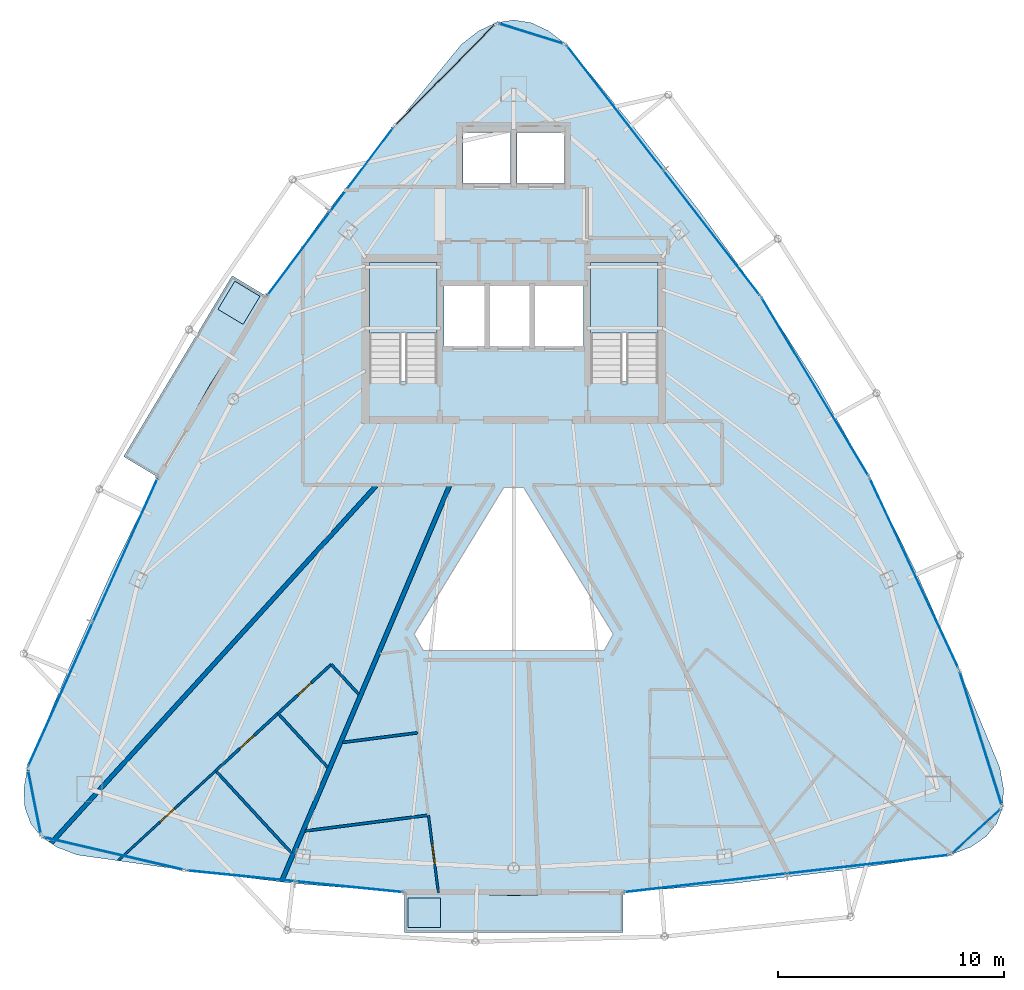
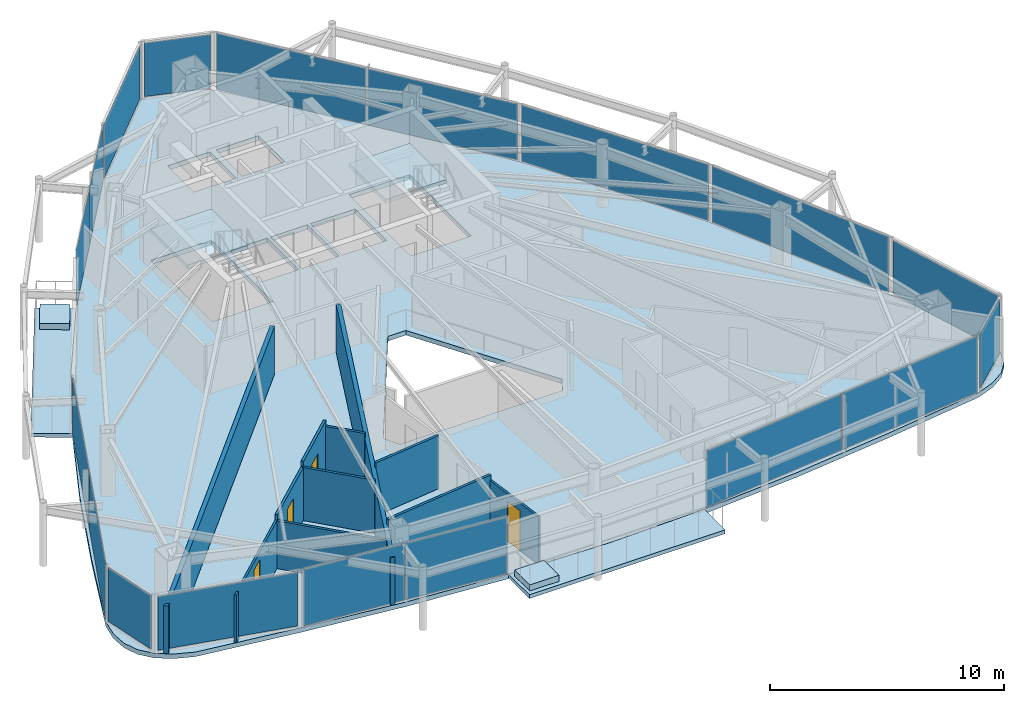
# One storey, part 25 of 30: 18 plates, 11 walls, 7 slabs, 4 doors, 4 openings, 15 elements without a shape of their own.
"""IFC4 building model written with IfcOpenShell, lengths in metres."""

from ifc_helpers import new_model, si_unit, direction, frame, frame_2d, origin, origin_2d, place, context, subcontext, project, spatial, polyline, rectangle, outline, extrude, material, layer, layer_set, type_object, element, fill, aggregate, save


model = new_model("IFC4")

# Units and contexts
model_context = context("Model", 3, precision=1e-05, world=origin(), true_north=direction((0.0, 1.0)))
body_context = subcontext(model_context, "Body", "Model", "MODEL_VIEW")
ifc_project = project(units=[si_unit("LENGTHUNIT", "METRE"), si_unit("AREAUNIT", "SQUARE_METRE"), si_unit("VOLUMEUNIT", "CUBIC_METRE"), si_unit("PLANEANGLEUNIT", "RADIAN"), si_unit("MASSUNIT", "GRAM", prefix="KILO")], contexts=[model_context])

# Site, building, storey
site_placement = place(None, origin())
site = spatial("IfcSite", under=ifc_project, at=site_placement, CompositionType="ELEMENT")
building_placement = place(site_placement, origin())
building = spatial("IfcBuilding", under=site, at=building_placement, Name="Orvanel Arch Residences", CompositionType="ELEMENT")
storey_placement = place(building_placement, frame((0.0, 0.0, 270.050048828125)))
storey = spatial("IfcBuildingStorey", under=building, at=storey_placement, Name="L77", CompositionType="ELEMENT", Elevation=270.050048828125)

# Curtain wall, plates
ifc_material_1 = material(Name="Bronze-anodised aluminium AA6063-T6", Category="aluminium")
ifc_layer_1 = layer(ifc_material_1, 0.175048828125)
ifc_layer_set_1 = layer_set([ifc_layer_1], Name="Bronze-anodised aluminium AA6063-T6")
curtain_wall_type_1 = type_object("IfcCurtainWallType", Name="CW4-HI-SYS", PredefinedType="NOTDEFINED", material=ifc_layer_set_1)
curtain_wall_1_placement = place(storey_placement, origin())
curtain_wall_1 = element("IfcCurtainWall", 1, at=curtain_wall_1_placement, inside=storey, type_object=curtain_wall_type_1, Name="L77 CW4-HI-SYS Unitised Curtain Wall", PredefinedType="NOTDEFINED")
ifc_material_2 = material(Name="Double-glazed solar-control low-E safety glass", Category="glass")
ifc_layer_2 = layer(ifc_material_2, 0.028076171875)
ifc_layer_set_2 = layer_set([ifc_layer_2], Name="Double-glazed solar-control low-E safety glass")
plate_type_1 = type_object("IfcPlateType", Name="PNL-GLZ-28", PredefinedType="CURTAIN_PANEL", material=ifc_layer_set_2)
plate_1_placement = place(storey_placement, frame((26.260498046875, 37.8095703125, 0.06005859375), z_axis=(0.0, 0.0, 1.0), x_axis=(-0.60051286147, -0.799615096912, 0.0)))
plate_1 = element("IfcPlate", 2, at=plate_1_placement, type_object=plate_type_1, Name="CW-S4 panel 1.1", PredefinedType="CURTAIN_PANEL", context=body_context, shape_type="SweptSolid", body=[
    extrude(rectangle(XDim=4.5810546875, YDim=0.028076171875, at=origin_2d()), origin(), (0.0, 0.0, 1.0), 2.93994140625),
])
plate_2_placement = place(storey_placement, frame((23.470458984375, 34.094482421875, 0.06005859375), z_axis=(0.0, 0.0, 1.0), x_axis=(-0.60051286147, -0.799615096912, 0.0)))
plate_2 = element("IfcPlate", 3, at=plate_2_placement, type_object=plate_type_1, Name="CW-S4 panel 2.1", PredefinedType="CURTAIN_PANEL", context=body_context, shape_type="SweptSolid", body=[
    extrude(rectangle(XDim=4.5810546875, YDim=0.028076171875, at=origin_2d()), origin(), (0.0, 0.0, 1.0), 2.93994140625),
])
aggregate(curtain_wall_1, [plate_1, plate_2])

curtain_wall_2_placement = place(storey_placement, origin())
curtain_wall_2 = element("IfcCurtainWall", 4, at=curtain_wall_2_placement, inside=storey, type_object=curtain_wall_type_1, Name="L77 CW4-HI-SYS Unitised Curtain Wall", PredefinedType="NOTDEFINED")
plate_3_placement = place(storey_placement, frame((15.77880859375, 20.935791015625, 0.06005859375), z_axis=(0.0, 0.0, 1.0), x_axis=(-0.409838903913, -0.912157920998, 0.0)))
plate_3 = element("IfcPlate", 5, at=plate_3_placement, type_object=plate_type_1, Name="CW-S4 panel 1.1", PredefinedType="CURTAIN_PANEL", context=body_context, shape_type="SweptSolid", body=[
    extrude(rectangle(XDim=6.94189453125, YDim=0.028076171875, at=origin_2d()), origin(), (0.0, 0.0, 1.0), 2.93994140625),
])
plate_4_placement = place(storey_placement, frame((12.9072265625, 14.54443359375, 0.06005859375), z_axis=(0.0, 0.0, 1.0), x_axis=(-0.409838903913, -0.912157920998, 0.0)))
plate_4 = element("IfcPlate", 6, at=plate_4_placement, type_object=plate_type_1, Name="CW-S4 panel 2.1", PredefinedType="CURTAIN_PANEL", context=body_context, shape_type="SweptSolid", body=[
    extrude(rectangle(XDim=6.94189453125, YDim=0.028076171875, at=origin_2d()), origin(), (0.0, 0.0, 1.0), 2.93994140625),
])
aggregate(curtain_wall_2, [plate_3, plate_4])

curtain_wall_3_placement = place(storey_placement, origin())
curtain_wall_3 = element("IfcCurtainWall", 7, at=curtain_wall_3_placement, inside=storey, type_object=curtain_wall_type_1, Name="L77 CW4-HI-SYS Unitised Curtain Wall", PredefinedType="NOTDEFINED")
plate_5_placement = place(storey_placement, frame((20.925537109375, 6.501220703125, 0.06005859375), z_axis=(0.0, 0.0, 1.0), x_axis=(0.99498699511, -0.100004397711, 0.0)))
plate_5 = element("IfcPlate", 8, at=plate_5_placement, type_object=plate_type_1, Name="CW-S4 panel 1.1", PredefinedType="CURTAIN_PANEL", context=body_context, shape_type="SweptSolid", body=[
    extrude(rectangle(XDim=4.747314453125, YDim=0.028076171875, at=origin_2d()), origin(), (0.0, 0.0, 1.0), 2.93994140625),
])
plate_6_placement = place(storey_placement, frame((25.713623046875, 6.019775390625, 0.06005859375), z_axis=(0.0, 0.0, 1.0), x_axis=(0.99498699511, -0.100004397711, 0.0)))
plate_6 = element("IfcPlate", 9, at=plate_6_placement, type_object=plate_type_1, Name="CW-S4 panel 2.1", PredefinedType="CURTAIN_PANEL", context=body_context, shape_type="SweptSolid", body=[
    extrude(rectangle(XDim=4.747314453125, YDim=0.028076171875, at=origin_2d()), origin(), (0.0, 0.0, 1.0), 2.93994140625),
])
aggregate(curtain_wall_3, [plate_5, plate_6])

curtain_wall_4_placement = place(storey_placement, origin())
curtain_wall_4 = element("IfcCurtainWall", 10, at=curtain_wall_4_placement, inside=storey, type_object=curtain_wall_type_1, Name="L77 CW4-HI-SYS Unitised Curtain Wall", PredefinedType="NOTDEFINED")
plate_7_placement = place(storey_placement, frame((41.496337890625, 6.1923828125, 0.06005859375), z_axis=(0.0, 0.0, 1.0), x_axis=(0.993509210956, 0.113751693375, 0.0)))
plate_7 = element("IfcPlate", 11, at=plate_7_placement, type_object=plate_type_1, Name="CW-S4 panel 1.1", PredefinedType="CURTAIN_PANEL", context=body_context, shape_type="SweptSolid", body=[
    extrude(rectangle(XDim=7.190185546875, YDim=0.028076171875, at=origin_2d()), origin(), (0.0, 0.0, 1.0), 2.93994140625),
])
plate_8_placement = place(storey_placement, frame((48.70458984375, 7.017578125, 0.06005859375), z_axis=(0.0, 0.0, 1.0), x_axis=(0.993509210956, 0.113751693375, 0.0)))
plate_8 = element("IfcPlate", 12, at=plate_8_placement, type_object=plate_type_1, Name="CW-S4 panel 2.1", PredefinedType="CURTAIN_PANEL", context=body_context, shape_type="SweptSolid", body=[
    extrude(rectangle(XDim=7.190185546875, YDim=0.028076171875, at=origin_2d()), origin(), (0.0, 0.0, 1.0), 2.93994140625),
])
aggregate(curtain_wall_4, [plate_7, plate_8])

# Curtain wall, plate
curtain_wall_5_placement = place(storey_placement, origin())
curtain_wall_5 = element("IfcCurtainWall", 13, at=curtain_wall_5_placement, inside=storey, type_object=curtain_wall_type_1, Name="L77 CW4-HI-SYS Unitised Curtain Wall", PredefinedType="NOTDEFINED")
plate_9_placement = place(storey_placement, frame((50.75048828125, 19.9208984375, 0.06005859375), z_axis=(0.0, 0.0, 1.0), x_axis=(-0.422856214336, 0.906196789885, 0.0)))
plate_9 = element("IfcPlate", 14, at=plate_9_placement, type_object=plate_type_1, Name="CW-S4 panel 1.1", PredefinedType="CURTAIN_PANEL", context=body_context, shape_type="SweptSolid", body=[
    extrude(rectangle(XDim=9.227783203125, YDim=0.028076171875, at=origin_2d()), origin(), (0.0, 0.0, 1.0), 2.93994140625),
])
aggregate(curtain_wall_5, [plate_9])

curtain_wall_6_placement = place(storey_placement, origin())
curtain_wall_6 = element("IfcCurtainWall", 15, at=curtain_wall_6_placement, inside=storey, type_object=curtain_wall_type_1, Name="L77 CW4-HI-SYS Unitised Curtain Wall", PredefinedType="NOTDEFINED")
plate_10_placement = place(storey_placement, frame((46.360107421875, 28.18701171875, 0.06005859375), z_axis=(0.0, 0.0, 1.0), x_axis=(-0.514400956296, 0.857549798065, 0.0)))
plate_10 = element("IfcPlate", 16, at=plate_10_placement, type_object=plate_type_1, Name="CW-S4 panel 1.1", PredefinedType="CURTAIN_PANEL", context=body_context, shape_type="SweptSolid", body=[
    extrude(rectangle(XDim=9.177978515625, YDim=0.028076171875, at=origin_2d()), origin(), (0.0, 0.0, 1.0), 2.93994140625),
])
aggregate(curtain_wall_6, [plate_10])

# Curtain wall, plates
curtain_wall_7_placement = place(storey_placement, origin())
curtain_wall_7 = element("IfcCurtainWall", 17, at=curtain_wall_7_placement, inside=storey, type_object=curtain_wall_type_1, Name="L77 CW4-HI-SYS Unitised Curtain Wall", PredefinedType="NOTDEFINED")
plate_11_placement = place(storey_placement, frame((41.78076171875, 35.0078125, 0.06005859375), z_axis=(0.0, 0.0, 1.0), x_axis=(-0.611799201016, 0.791013108385, 0.0)))
plate_11 = element("IfcPlate", 18, at=plate_11_placement, type_object=plate_type_1, Name="CW-S4 panel 1.1", PredefinedType="CURTAIN_PANEL", context=body_context, shape_type="SweptSolid", body=[
    extrude(rectangle(XDim=6.941650390625, YDim=0.028076171875, at=origin_2d()), origin(), (0.0, 0.0, 1.0), 2.93994140625),
])
plate_12_placement = place(storey_placement, frame((37.494140625, 40.550048828125, 0.06005859375), z_axis=(0.0, 0.0, 1.0), x_axis=(-0.611799201016, 0.791013108385, 0.0)))
plate_12 = element("IfcPlate", 19, at=plate_12_placement, type_object=plate_type_1, Name="CW-S4 panel 2.1", PredefinedType="CURTAIN_PANEL", context=body_context, shape_type="SweptSolid", body=[
    extrude(rectangle(XDim=6.941650390625, YDim=0.028076171875, at=origin_2d()), origin(), (0.0, 0.0, 1.0), 2.93994140625),
])
aggregate(curtain_wall_7, [plate_11, plate_12])

# Curtain wall, plate
ifc_layer_3 = layer(ifc_material_1, 0.18994140625)
ifc_layer_set_3 = layer_set([ifc_layer_3], Name="Bronze-anodised aluminium AA6063-T6")
curtain_wall_type_2 = type_object("IfcCurtainWallType", Name="CW5-CRN-SYS", PredefinedType="NOTDEFINED", material=ifc_layer_set_3)
curtain_wall_8_placement = place(storey_placement, origin())
curtain_wall_8 = element("IfcCurtainWall", 20, at=curtain_wall_8_placement, inside=storey, type_object=curtain_wall_type_2, Name="L77 CW5-CRN-SYS Unitised Curtain Wall", PredefinedType="NOTDEFINED")
ifc_layer_4 = layer(ifc_material_2, 0.031982421875)
ifc_layer_set_4 = layer_set([ifc_layer_4], Name="Double-glazed solar-control low-E safety glass")
plate_type_2 = type_object("IfcPlateType", Name="PNL-GLZ-32", PredefinedType="CURTAIN_PANEL", material=ifc_layer_set_4)
plate_13_placement = place(storey_placement, frame((33.77294921875, 43.843994140625, 0.1298828125), z_axis=(0.0, 0.0, 1.0), x_axis=(-0.954868600689, 0.297028543105, 0.0)))
plate_13 = element("IfcPlate", 21, at=plate_13_placement, type_object=plate_type_2, Name="CW-S5 panel 1.1", PredefinedType="CURTAIN_PANEL", context=body_context, shape_type="SweptSolid", body=[
    extrude(rectangle(XDim=2.8984375, YDim=0.031982421875, at=origin_2d()), origin(), (0.0, 0.0, 1.0), 2.800048828125),
])
aggregate(curtain_wall_8, [plate_13])

curtain_wall_9_placement = place(storey_placement, origin())
curtain_wall_9 = element("IfcCurtainWall", 22, at=curtain_wall_9_placement, inside=storey, type_object=curtain_wall_type_2, Name="L77 CW5-CRN-SYS Unitised Curtain Wall", PredefinedType="NOTDEFINED")
plate_14_placement = place(storey_placement, frame((29.95703125, 42.01708984375, 0.1298828125), z_axis=(0.0, 0.0, 1.0), x_axis=(-0.701176820871, -0.712987423362, 0.0)))
plate_14 = element("IfcPlate", 23, at=plate_14_placement, type_object=plate_type_2, Name="CW-S5 panel 1.1", PredefinedType="CURTAIN_PANEL", context=body_context, shape_type="SweptSolid", body=[
    extrude(rectangle(XDim=6.135009765625, YDim=0.031982421875, at=origin_2d()), origin(), (0.0, 0.0, 1.0), 2.800048828125),
])
aggregate(curtain_wall_9, [plate_14])

curtain_wall_10_placement = place(storey_placement, origin())
curtain_wall_10 = element("IfcCurtainWall", 24, at=curtain_wall_10_placement, inside=storey, type_object=curtain_wall_type_2, Name="L77 CW5-CRN-SYS Unitised Curtain Wall", PredefinedType="NOTDEFINED")
plate_15_placement = place(storey_placement, frame((11.75439453125, 9.77197265625, 0.1298828125), z_axis=(0.0, 0.0, 1.0), x_axis=(0.195303656616, -0.980742821392, 0.0)))
plate_15 = element("IfcPlate", 25, at=plate_15_placement, type_object=plate_type_2, Name="CW-S5 panel 1.1", PredefinedType="CURTAIN_PANEL", context=body_context, shape_type="SweptSolid", body=[
    extrude(rectangle(XDim=2.77734375, YDim=0.031982421875, at=origin_2d()), origin(), (0.0, 0.0, 1.0), 2.800048828125),
])
aggregate(curtain_wall_10, [plate_15])

curtain_wall_11_placement = place(storey_placement, origin())
curtain_wall_11 = element("IfcCurtainWall", 26, at=curtain_wall_11_placement, inside=storey, type_object=curtain_wall_type_2, Name="L77 CW5-CRN-SYS Unitised Curtain Wall", PredefinedType="NOTDEFINED")
plate_16_placement = place(storey_placement, frame((15.26904296875, 7.4951171875, 0.1298828125), z_axis=(0.0, 0.0, 1.0), x_axis=(0.973946916945, -0.226776107589, 0.0)))
plate_16 = element("IfcPlate", 27, at=plate_16_placement, type_object=plate_type_2, Name="CW-S5 panel 1.1", PredefinedType="CURTAIN_PANEL", context=body_context, shape_type="SweptSolid", body=[
    extrude(rectangle(XDim=6.252685546875, YDim=0.031982421875, at=origin_2d()), origin(), (0.0, 0.0, 1.0), 2.800048828125),
])
aggregate(curtain_wall_11, [plate_16])

curtain_wall_12_placement = place(storey_placement, origin())
curtain_wall_12 = element("IfcCurtainWall", 28, at=curtain_wall_12_placement, inside=storey, type_object=curtain_wall_type_2, Name="L77 CW5-CRN-SYS Unitised Curtain Wall", PredefinedType="NOTDEFINED")
plate_17_placement = place(storey_placement, frame((53.515380859375, 8.48388671875, 0.1298828125), z_axis=(0.0, 0.0, 1.0), x_axis=(0.74023394526, 0.672349393013, 0.0)))
plate_17 = element("IfcPlate", 29, at=plate_17_placement, type_object=plate_type_2, Name="CW-S5 panel 1.1", PredefinedType="CURTAIN_PANEL", context=body_context, shape_type="SweptSolid", body=[
    extrude(rectangle(XDim=2.77880859375, YDim=0.031982421875, at=origin_2d()), origin(), (0.0, 0.0, 1.0), 2.800048828125),
])
aggregate(curtain_wall_12, [plate_17])

curtain_wall_13_placement = place(storey_placement, origin())
curtain_wall_13 = element("IfcCurtainWall", 30, at=curtain_wall_13_placement, inside=storey, type_object=curtain_wall_type_2, Name="L77 CW5-CRN-SYS Unitised Curtain Wall", PredefinedType="NOTDEFINED")
plate_18_placement = place(storey_placement, frame((53.70361328125, 12.597412109375, 0.1298828125), z_axis=(0.0, 0.0, 1.0), x_axis=(-0.300689352356, 0.953722136358, 0.0)))
plate_18 = element("IfcPlate", 31, at=plate_18_placement, type_object=plate_type_2, Name="CW-S5 panel 1.1", PredefinedType="CURTAIN_PANEL", context=body_context, shape_type="SweptSolid", body=[
    extrude(rectangle(XDim=6.088623046875, YDim=0.031982421875, at=origin_2d()), origin(), (0.0, 0.0, 1.0), 2.800048828125),
])
aggregate(curtain_wall_13, [plate_18])

# Slabs
ifc_material_3 = material(Name="Concrete N40 (40 MPa)", Category="concrete")
ifc_layer_5 = layer(ifc_material_3, 0.199951171875)
ifc_layer_set_5 = layer_set([ifc_layer_5], Name="Concrete N40 (40 MPa)")
slab_type_1 = type_object("IfcSlabType", Name="SLB-BAL-200", PredefinedType="FLOOR", material=ifc_layer_set_5)
slab_1_placement = place(storey_placement, frame((0.0, 0.0, -0.199951171875)))
element("IfcSlab", 32, at=slab_1_placement, inside=storey, type_object=slab_type_1, Name="L77 Cantilevered Balcony Slab Face 1", PredefinedType="FLOOR", context=body_context, shape_type="SweptSolid", body=[
    extrude(outline(polyline([(20.51806640625, 33.110107421875), (15.7099609375, 25.094970703125), (17.236083984375, 24.178955078125), (19.52294921875, 28.258056640625), (22.0439453125, 32.195068359375), (20.51806640625, 33.110107421875)])), origin(), (0.0, 0.0, 1.0), 0.199951171875),
])
slab_2_placement = place(storey_placement, frame((0.0, 0.0, -0.199951171875)))
element("IfcSlab", 33, at=slab_2_placement, inside=storey, type_object=slab_type_1, Name="L77 Cantilevered Balcony Slab Face 2", PredefinedType="FLOOR", context=body_context, shape_type="SweptSolid", body=[
    extrude(outline(polyline([(28.159912109375, 3.993896484375), (37.840087890625, 3.993896484375), (37.840087890625, 5.77392578125), (33.0, 5.636962890625), (28.159912109375, 5.77392578125), (28.159912109375, 3.993896484375)])), origin(), (0.0, 0.0, 1.0), 0.199951171875),
])

# Stair, slab
ifc_material_4 = material(Name="Precast concrete N50 (50 MPa)", Category="concrete")
stair_type = type_object("IfcStairType", Name="STR-DOG-184", PredefinedType="USERDEFINED", material=ifc_material_4)
stair_1_placement = place(storey_placement, origin())
stair_1 = element("IfcStair", 34, at=stair_1_placement, inside=storey, type_object=stair_type, Name="L77 Fire-Isolated Core Exit Stair 1", ObjectType="TWO_RETURN_STAIR", PredefinedType="USERDEFINED")
ifc_layer_6 = layer(ifc_material_3, 0.199951171875)
ifc_layer_set_6 = layer_set([ifc_layer_6], Name="Concrete N40 (40 MPa)")
slab_type_2 = type_object("IfcSlabType", Name="SLB-LND-200", PredefinedType="LANDING", material=ifc_layer_set_6)
slab_3_placement = place(storey_placement, frame((0.0, 0.0, 1.449951171875)))
slab_3 = element("IfcSlab", 35, at=slab_3_placement, type_object=slab_type_2, Name="ST-1 landing 1", PredefinedType="LANDING", context=body_context, shape_type="SweptSolid", body=[
    extrude(outline(polyline([(29.60009765625, 30.56005859375), (29.60009765625, 33.699951171875), (26.60009765625, 33.699951171875), (26.60009765625, 30.56005859375), (29.60009765625, 30.56005859375)])), origin(), (0.0, 0.0, 1.0), 0.199951171875),
])
aggregate(stair_1, [slab_3])

stair_2_placement = place(storey_placement, origin())
stair_2 = element("IfcStair", 36, at=stair_2_placement, inside=storey, type_object=stair_type, Name="L77 Fire-Isolated Core Exit Stair 2", ObjectType="TWO_RETURN_STAIR", PredefinedType="USERDEFINED")
slab_4_placement = place(storey_placement, frame((0.0, 0.0, 1.449951171875)))
slab_4 = element("IfcSlab", 37, at=slab_4_placement, type_object=slab_type_2, Name="ST-2 landing 1", PredefinedType="LANDING", context=body_context, shape_type="SweptSolid", body=[
    extrude(outline(polyline([(39.39990234375, 30.56005859375), (39.39990234375, 33.699951171875), (36.39990234375, 33.699951171875), (36.39990234375, 30.56005859375), (39.39990234375, 30.56005859375)])), origin(), (0.0, 0.0, 1.0), 0.199951171875),
])
aggregate(stair_2, [slab_4])

# Slabs
ifc_material_5 = material(Name="Structural architectural precast concrete N40 (40 MPa) planter", Category="concrete")
ifc_layer_7 = layer(ifc_material_5, 0.320068359375)
ifc_layer_set_7 = layer_set([ifc_layer_7], Name="Structural architectural precast concrete N40 (40 MPa) planter")
slab_type_3 = type_object("IfcSlabType", Name="SLB-PLN-320", PredefinedType="USERDEFINED", material=ifc_layer_set_7)
slab_5_placement = place(storey_placement, origin())
element("IfcSlab", 38, at=slab_5_placement, inside=storey, type_object=slab_type_3, Name="L77 Balcony TREE PLANTER Face 1", ObjectType="PLANTER", PredefinedType="USERDEFINED", context=body_context, shape_type="SweptSolid", body=[
    extrude(outline(polyline([(20.637939453125, 32.863037109375), (19.89208984375, 31.6201171875), (21.007080078125, 30.950927734375), (21.751953125, 32.195068359375), (20.637939453125, 32.863037109375)])), origin(), (0.0, 0.0, 1.0), 0.320068359375),
])
slab_6_placement = place(storey_placement, origin())
element("IfcSlab", 39, at=slab_6_placement, inside=storey, type_object=slab_type_3, Name="L77 Balcony TREE PLANTER Face 2", ObjectType="PLANTER", PredefinedType="USERDEFINED", context=body_context, shape_type="SweptSolid", body=[
    extrude(outline(polyline([(28.31005859375, 4.22412109375), (29.760009765625, 4.22412109375), (29.760009765625, 5.52392578125), (28.31005859375, 5.52392578125), (28.31005859375, 4.22412109375)])), origin(), (0.0, 0.0, 1.0), 0.320068359375),
])
ifc_layer_8 = layer(ifc_material_3, 0.239990234375)
ifc_layer_set_8 = layer_set([ifc_layer_8], Name="Concrete N40 (40 MPa)")
slab_type_4 = type_object("IfcSlabType", Name="SLB-TYP-240", PredefinedType="FLOOR", material=ifc_layer_set_8)
slab_7_placement = place(storey_placement, frame((0.0, 0.0, -0.239990234375)))
element("IfcSlab", 40, at=slab_7_placement, inside=storey, type_object=slab_type_4, Name="L77 Tower Floor Slab", PredefinedType="FLOOR", context=body_context, shape_type="SweptSolid", body=[
    extrude(outline(polyline([(35.319091796875, 43.363037109375), (34.5458984375, 43.964111328125), (33.77294921875, 44.324951171875), (33.0, 44.445068359375), (32.22705078125, 44.324951171875), (31.4541015625, 43.964111328125), (30.680908203125, 43.363037109375), (27.68701171875, 39.708984375), (24.781982421875, 36.001953125), (22.0439453125, 32.195068359375), (19.52294921875, 28.258056640625), (17.236083984375, 24.178955078125), (15.166015625, 19.970947265625), (13.262939453125, 15.6630859375), (11.449951171875, 11.301025390625), (11.283935546875, 10.35693359375), (11.330078125, 9.531982421875), (11.587890625, 8.827880859375), (12.05908203125, 8.242919921875), (12.742919921875, 7.780029296875), (13.638916015625, 7.43603515625), (18.47900390625, 6.7470703125), (23.319091796875, 6.1640625), (28.159912109375, 5.77392578125), (33.0, 5.636962890625), (37.840087890625, 5.77392578125), (42.680908203125, 6.1640625), (47.52099609375, 6.7470703125), (52.361083984375, 7.43603515625), (53.257080078125, 7.780029296875), (53.94091796875, 8.242919921875), (54.412109375, 8.827880859375), (54.669921875, 9.531982421875), (54.717041015625, 10.35693359375), (54.550048828125, 11.301025390625), (52.737060546875, 15.6630859375), (50.833984375, 19.970947265625), (48.763916015625, 24.178955078125), (46.47705078125, 28.258056640625), (43.9560546875, 32.195068359375), (41.218017578125, 36.001953125), (38.31298828125, 39.708984375), (35.319091796875, 43.363037109375)]), holes=[polyline([(26.60009765625, 28.429931640625), (26.60009765625, 33.699951171875), (29.60009765625, 33.699951171875), (29.60009765625, 28.429931640625), (26.60009765625, 28.429931640625)]), polyline([(36.39990234375, 28.429931640625), (36.39990234375, 33.699951171875), (39.39990234375, 33.699951171875), (39.39990234375, 28.429931640625), (36.39990234375, 28.429931640625)]), polyline([(29.89990234375, 32.64990234375), (31.75, 32.64990234375), (31.75, 29.949951171875), (29.89990234375, 29.949951171875), (29.89990234375, 32.64990234375)]), polyline([(31.89990234375, 32.64990234375), (33.75, 32.64990234375), (33.75, 29.949951171875), (31.89990234375, 29.949951171875), (31.89990234375, 32.64990234375)]), polyline([(33.89990234375, 32.64990234375), (36.10009765625, 32.64990234375), (36.10009765625, 29.949951171875), (33.89990234375, 29.949951171875), (33.89990234375, 32.64990234375)]), polyline([(30.75, 39.449951171875), (32.85009765625, 39.449951171875), (32.85009765625, 37.199951171875), (30.75, 37.199951171875), (30.75, 39.449951171875)]), polyline([(33.14990234375, 39.449951171875), (35.25, 39.449951171875), (35.25, 37.199951171875), (33.14990234375, 37.199951171875), (33.14990234375, 39.449951171875)]), polyline([(37.416015625, 17.219970703125), (37.006103515625, 16.488037109375), (28.993896484375, 16.488037109375), (28.583984375, 17.219970703125), (32.552978515625, 23.7119140625), (33.447021484375, 23.7119140625), (37.416015625, 17.219970703125)])]), origin(), (0.0, 0.0, 1.0), 0.239990234375),
])

# Walls
ifc_material_6 = material(Name="Fire-rated plasterboard lined steel stud partition", Category="steel")
ifc_layer_9 = layer(ifc_material_6, 0.199951171875)
ifc_layer_set_9 = layer_set([ifc_layer_9], Name="Fire-rated plasterboard lined steel stud partition")
wall_type_1 = type_object("IfcWallType", Name="W-DEM-200", PredefinedType="PARTITIONING", material=ifc_layer_set_9)
wall_1_placement = place(storey_placement, frame((26.89599609375, 23.7900390625, 0.0), z_axis=(0.0, 0.0, 1.0), x_axis=(-0.672947642337, -0.739690118004, 0.0)))
element("IfcWall", 41, at=wall_1_placement, inside=storey, type_object=wall_type_1, Name="L77 Inter-Tenancy Acoustic Demising Wall", PredefinedType="PARTITIONING", context=body_context, shape_type="SweptSolid", body=[
    extrude(rectangle(XDim=21.395263671875, YDim=0.199951171875, at=frame_2d((10.69775390625, 0.0))), origin(), (0.0, 0.0, 1.0), 2.491943359375),
])
wall_2_placement = place(storey_placement, frame((30.152099609375, 23.7900390625, 0.0), z_axis=(0.0, 0.0, 1.0), x_axis=(-0.390757480658, -0.920493667175, 0.0)))
element("IfcWall", 42, at=wall_2_placement, inside=storey, type_object=wall_type_1, Name="L77 Inter-Tenancy Acoustic Demising Wall", PredefinedType="PARTITIONING", context=body_context, shape_type="SweptSolid", body=[
    extrude(rectangle(XDim=19.052978515625, YDim=0.199951171875, at=frame_2d((9.5263671875, 0.0))), origin(), (0.0, 0.0, 1.0), 2.491943359375),
])

# Wall, opening, door
ifc_material_7 = material(Name="Acoustic plasterboard lined twin-stud partition", Category="gypsum")
ifc_layer_10 = layer(ifc_material_7, 0.10009765625)
ifc_layer_set_10 = layer_set([ifc_layer_10], Name="Acoustic plasterboard lined twin-stud partition")
wall_type_2 = type_object("IfcWallType", Name="W-INT-100", PredefinedType="PARTITIONING", material=ifc_layer_set_10)
wall_3_placement = place(storey_placement, frame((19.791015625, 11.1640625, 0.0), z_axis=(0.0, 0.0, 1.0), x_axis=(-0.735787653784, -0.677212321608, 0.0)))
wall_3 = element("IfcWall", 43, at=wall_3_placement, inside=storey, type_object=wall_type_2, Name="L77 Studio A Internal Partition", PredefinedType="PARTITIONING", context=body_context, shape_type="SweptSolid", body=[
    extrude(rectangle(XDim=5.87255859375, YDim=0.10009765625, at=frame_2d((2.936279296875, 0.0))), origin(), (0.0, 0.0, 1.0), 2.491943359375),
])
opening_1_placement = place(wall_3_placement, frame((2.49609375, 0.0, 0.0)))
opening_1 = element("IfcOpeningElement", 44, at=opening_1_placement, cuts=wall_3, Name="Opening DI-088", PredefinedType="OPENING", context=body_context, shape_type="SweptSolid", body=[
    extrude(rectangle(XDim=0.8798828125, YDim=2.10009765625, at=frame_2d((0.43994140625, 1.050048828125))), frame((0.0, 0.06005859375, 0.0), z_axis=(0.0, -1.0, 0.0), x_axis=(1.0, 0.0, 0.0)), (0.0, 0.0, 1.0), 0.1201171875),
])
ifc_material_8 = material(Name="Solid-core European oak veneer fire door leaf", Category="wood")
door_type_1 = type_object("IfcDoorType", Name="DR-INT-880", OperationType="NOTDEFINED", PredefinedType="DOOR", material=ifc_material_8)
door_1_placement = place(opening_1_placement, origin())
door_1 = element("IfcDoor", 45, at=door_1_placement, inside=storey, type_object=door_type_1, Name="DR-L77-A-CAR1 L77 Studio A Allied Health Consulting Room 1 Door", OperationType="SINGLE_SWING_LEFT", OverallHeight=2.10009765625, OverallWidth=0.8798828125, PredefinedType="DOOR", context=body_context, shape_type="SweptSolid", body=[
    extrude(rectangle(XDim=0.8798828125, YDim=2.10009765625, at=frame_2d((0.43994140625, 1.050048828125))), frame((0.0, 0.02490234375, 0.0), z_axis=(0.0, -1.0, 0.0), x_axis=(1.0, 0.0, 0.0)), (0.0, 0.0, 1.0), 0.050048828125),
])
fill(opening_1, door_1)

wall_4_placement = place(storey_placement, frame((29.6640625, 5.74609375, 0.0), z_axis=(0.0, 0.0, 1.0), x_axis=(-0.127153688826, 0.991883027084, 0.0)))
wall_4 = element("IfcWall", 46, at=wall_4_placement, inside=storey, type_object=wall_type_2, Name="L77 Studio D Internal Partition", PredefinedType="PARTITIONING", context=body_context, shape_type="SweptSolid", body=[
    extrude(rectangle(XDim=3.477294921875, YDim=0.10009765625, at=frame_2d((1.73876953125, 0.0))), origin(), (0.0, 0.0, 1.0), 2.491943359375),
])
opening_2_placement = place(wall_4_placement, frame((1.299072265625, 0.0, 0.0)))
opening_2 = element("IfcOpeningElement", 47, at=opening_2_placement, cuts=wall_4, Name="Opening DI-088", PredefinedType="OPENING", context=body_context, shape_type="SweptSolid", body=[
    extrude(rectangle(XDim=0.8798828125, YDim=2.10009765625, at=frame_2d((0.43994140625, 1.050048828125))), frame((0.0, 0.06005859375, 0.0), z_axis=(0.0, -1.0, 0.0), x_axis=(1.0, 0.0, 0.0)), (0.0, 0.0, 1.0), 0.1201171875),
])
door_2_placement = place(opening_2_placement, origin())
door_2 = element("IfcDoor", 48, at=door_2_placement, inside=storey, type_object=door_type_1, Name="DR-L77-D-RET1 L77 Studio D Atelier Craft Showroom 2 Door", OperationType="SINGLE_SWING_LEFT", OverallHeight=2.10009765625, OverallWidth=0.8798828125, PredefinedType="DOOR", context=body_context, shape_type="SweptSolid", body=[
    extrude(rectangle(XDim=0.8798828125, YDim=2.10009765625, at=frame_2d((0.43994140625, 1.050048828125))), frame((0.0, 0.02490234375, 0.0), z_axis=(0.0, -1.0, 0.0), x_axis=(1.0, 0.0, 0.0)), (0.0, 0.0, 1.0), 0.050048828125),
])
fill(opening_2, door_2)

# Wall
ifc_layer_11 = layer(ifc_material_7, 0.1201171875)
ifc_layer_set_11 = layer_set([ifc_layer_11], Name="Acoustic plasterboard lined twin-stud partition")
wall_type_3 = type_object("IfcWallType", Name="W-WET-120", PredefinedType="PARTITIONING", material=ifc_layer_set_11)
wall_5_placement = place(storey_placement, frame((26.135986328125, 14.5458984375, 0.0), z_axis=(0.0, 0.0, 1.0), x_axis=(-0.67721439392, 0.735785746443, 0.0)))
element("IfcWall", 49, at=wall_5_placement, inside=storey, type_object=wall_type_3, Name="L77 Studio A Bathroom Partition", PredefinedType="PARTITIONING", context=body_context, shape_type="SweptSolid", body=[
    extrude(rectangle(XDim=1.80908203125, YDim=0.1201171875, at=frame_2d((0.904541015625, 0.0))), origin(), (0.0, 0.0, 1.0), 2.77294921875),
])

# Wall, opening, door
wall_6_placement = place(storey_placement, frame((24.910888671875, 15.876953125, 0.0), z_axis=(0.0, 0.0, 1.0), x_axis=(-0.735690989841, -0.677317331438, 0.0)))
wall_6 = element("IfcWall", 50, at=wall_6_placement, inside=storey, type_object=wall_type_3, Name="L77 Studio A Bathroom Partition", PredefinedType="PARTITIONING", context=body_context, shape_type="SweptSolid", body=[
    extrude(rectangle(XDim=3.20361328125, YDim=0.1201171875, at=frame_2d((1.601806640625, 0.0))), origin(), (0.0, 0.0, 1.0), 3.06005859375),
])
opening_3_placement = place(wall_6_placement, frame((1.19189453125, 0.0, 0.0)))
opening_3 = element("IfcOpeningElement", 51, at=opening_3_placement, cuts=wall_6, Name="Opening DW-082", PredefinedType="OPENING", context=body_context, shape_type="SweptSolid", body=[
    extrude(rectangle(XDim=0.820068359375, YDim=2.10009765625, at=frame_2d((0.41015625, 1.050048828125))), frame((0.0, 0.070068359375, 0.0), z_axis=(0.0, -1.0, 0.0), x_axis=(1.0, 0.0, 0.0)), (0.0, 0.0, 1.0), 0.14013671875),
])
door_type_2 = type_object("IfcDoorType", Name="DR-WET-820", OperationType="NOTDEFINED", PredefinedType="DOOR", material=ifc_material_8)
door_3_placement = place(opening_3_placement, origin())
door_3 = element("IfcDoor", 52, at=door_3_placement, inside=storey, type_object=door_type_2, Name="DR-L77-A-BATH L77 Studio A Bathroom Door", OperationType="SINGLE_SWING_RIGHT", OverallHeight=2.10009765625, OverallWidth=0.820068359375, PredefinedType="DOOR", context=body_context, shape_type="SweptSolid", body=[
    extrude(rectangle(XDim=0.820068359375, YDim=2.10009765625, at=frame_2d((0.41015625, 1.050048828125))), frame((0.0, 0.02490234375, 0.0), z_axis=(0.0, -1.0, 0.0), x_axis=(1.0, 0.0, 0.0)), (0.0, 0.0, 1.0), 0.050048828125),
])
fill(opening_3, door_3)

wall_7_placement = place(storey_placement, frame((22.553955078125, 13.70703125, 0.0), z_axis=(0.0, 0.0, 1.0), x_axis=(-0.735789751444, -0.677210042506, 0.0)))
wall_7 = element("IfcWall", 53, at=wall_7_placement, inside=storey, type_object=wall_type_3, Name="L77 Studio A Internal Partition", PredefinedType="PARTITIONING", context=body_context, shape_type="SweptSolid", body=[
    extrude(rectangle(XDim=3.755126953125, YDim=0.1201171875, at=frame_2d((1.87744140625, 0.0))), origin(), (0.0, 0.0, 1.0), 2.77294921875),
])
opening_4_placement = place(wall_7_placement, frame((1.43798828125, 0.0, 0.0)))
opening_4 = element("IfcOpeningElement", 54, at=opening_4_placement, cuts=wall_7, Name="Opening DI-088", PredefinedType="OPENING", context=body_context, shape_type="SweptSolid", body=[
    extrude(rectangle(XDim=0.8798828125, YDim=2.10009765625, at=frame_2d((0.43994140625, 1.050048828125))), frame((0.0, 0.070068359375, 0.0), z_axis=(0.0, -1.0, 0.0), x_axis=(1.0, 0.0, 0.0)), (0.0, 0.0, 1.0), 0.14013671875),
])
door_4_placement = place(opening_4_placement, origin())
door_4 = element("IfcDoor", 55, at=door_4_placement, inside=storey, type_object=door_type_1, Name="DR-L77-A-KIT L77 Studio A Kitchenette Door", OperationType="SINGLE_SWING_LEFT", OverallHeight=2.10009765625, OverallWidth=0.8798828125, PredefinedType="DOOR", context=body_context, shape_type="SweptSolid", body=[
    extrude(rectangle(XDim=0.8798828125, YDim=2.10009765625, at=frame_2d((0.43994140625, 1.050048828125))), frame((0.0, 0.02490234375, 0.0), z_axis=(0.0, -1.0, 0.0), x_axis=(1.0, 0.0, 0.0)), (0.0, 0.0, 1.0), 0.050048828125),
])
fill(opening_4, door_4)

# Walls
wall_8_placement = place(storey_placement, frame((24.760986328125, 11.30810546875, 0.0), z_axis=(0.0, 0.0, 1.0), x_axis=(-0.677059775875, 0.735928026299, 0.0)))
element("IfcWall", 56, at=wall_8_placement, inside=storey, type_object=wall_type_3, Name="L77 Studio A Bathroom Partition", PredefinedType="PARTITIONING", context=body_context, shape_type="SweptSolid", body=[
    extrude(rectangle(XDim=3.259765625, YDim=0.1201171875, at=frame_2d((1.6298828125, 0.0))), origin(), (0.0, 0.0, 1.0), 2.77294921875),
])
wall_9_placement = place(storey_placement, frame((23.15087890625, 7.514892578125, 0.0), z_axis=(0.0, 0.0, 1.0), x_axis=(-0.677343302262, 0.735667078834, 0.0)))
element("IfcWall", 57, at=wall_9_placement, inside=storey, type_object=wall_type_3, Name="L77 Studio A Internal Partition", PredefinedType="PARTITIONING", context=body_context, shape_type="SweptSolid", body=[
    extrude(rectangle(XDim=4.96044921875, YDim=0.1201171875, at=frame_2d((2.480224609375, 0.0))), origin(), (0.0, 0.0, 1.0), 2.491943359375),
])
wall_10_placement = place(storey_placement, frame((28.7529296875, 12.847900390625, 0.0), z_axis=(0.0, 0.0, 1.0), x_axis=(-0.991902552373, -0.127001285805, 0.0)))
element("IfcWall", 58, at=wall_10_placement, inside=storey, type_object=wall_type_3, Name="L77 Studio D Bathroom Partition", PredefinedType="PARTITIONING", context=body_context, shape_type="SweptSolid", body=[
    extrude(rectangle(XDim=3.3623046875, YDim=0.1201171875, at=frame_2d((1.68115234375, 0.0))), origin(), (0.0, 0.0, 1.0), 2.77294921875),
])
wall_11_placement = place(storey_placement, frame((29.221923828125, 9.195068359375, 0.0), z_axis=(0.0, 0.0, 1.0), x_axis=(-0.991886960484, -0.127123001942, 0.0)))
element("IfcWall", 59, at=wall_11_placement, inside=storey, type_object=wall_type_3, Name="L77 Studio D Internal Partition", PredefinedType="PARTITIONING", context=body_context, shape_type="SweptSolid", body=[
    extrude(rectangle(XDim=5.515625, YDim=0.1201171875, at=frame_2d((2.7578125, 0.0))), origin(), (0.0, 0.0, 1.0), 2.77294921875),
])

save(model, "model.ifc")
